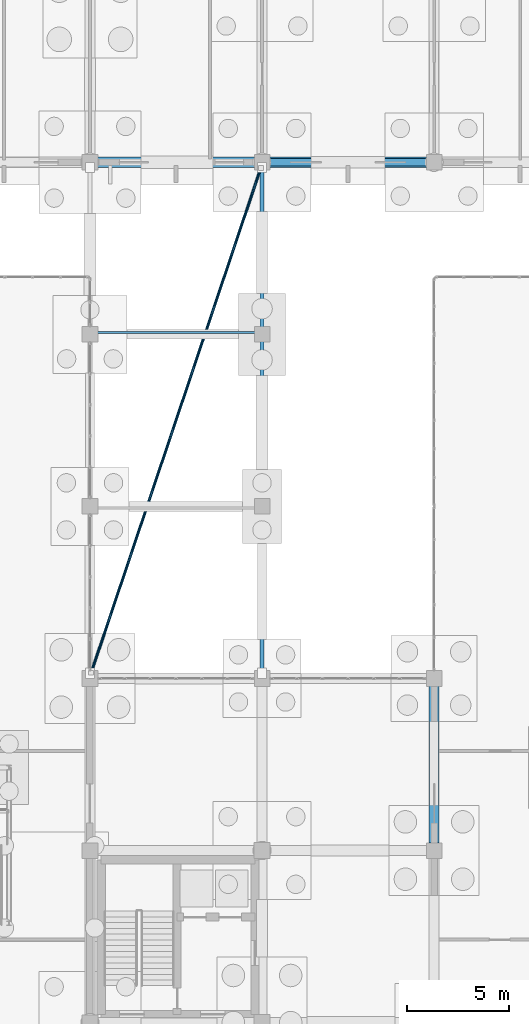
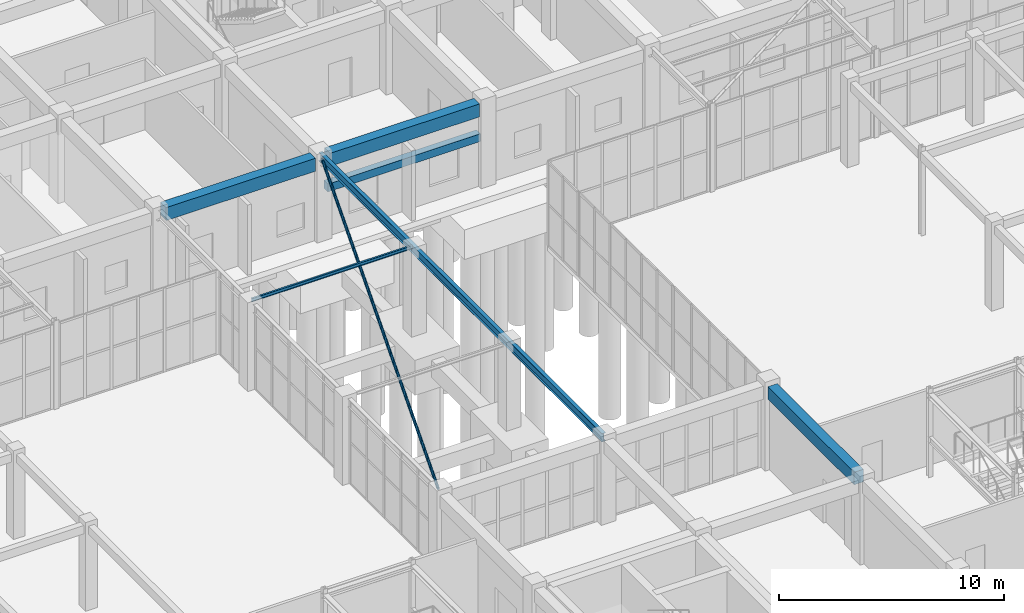
# One storey, part 103 of 192: 6 beams, 1 member.
"""IFC4 building model written with IfcOpenShell, lengths in metres."""

from ifc_helpers import new_model, si_unit, direction, frame, origin, origin_2d, place, context, subcontext, project, spatial, rectangle, hollow_circle, i_section, extrude, material, material_profile, profile_set, type_object, element, save


model = new_model("IFC4")

# Units and contexts
model_context = context("Model", 3, precision=1e-05, world=origin(), true_north=direction((0.0, 1.0)))
body_context = subcontext(model_context, "Body", "Model", "MODEL_VIEW")
ifc_project = project(units=[si_unit("LENGTHUNIT", "METRE"), si_unit("AREAUNIT", "SQUARE_METRE"), si_unit("VOLUMEUNIT", "CUBIC_METRE"), si_unit("PLANEANGLEUNIT", "RADIAN"), si_unit("MASSUNIT", "GRAM", prefix="KILO")], contexts=[model_context])

# Site, building, storey
site_placement = place(None, origin())
site = spatial("IfcSite", under=ifc_project, at=site_placement, CompositionType="ELEMENT")
building_placement = place(site_placement, origin())
building = spatial("IfcBuilding", under=site, at=building_placement, Name="Trelvath General Hospital", CompositionType="ELEMENT")
storey_placement = place(building_placement, origin())
storey = spatial("IfcBuildingStorey", under=building, at=storey_placement, Name="L00", CompositionType="ELEMENT", Elevation=0.0)

# Beams
ifc_material_1 = material(Name="Concrete C35/45", Category="concrete")
ifc_material_profile_1 = material_profile(ifc_material_1, rectangle(XDim=0.47998046875, YDim=0.679931640625, at=origin_2d()), Name="RCB480x680")
ifc_profile_set_1 = profile_set([ifc_material_profile_1], Name="Concrete C35/45")
beam_type_1 = type_object("IfcBeamType", Name="Beam RC480x680", PredefinedType="BEAM", material=ifc_profile_set_1)
beam_1_placement = place(storey_placement, frame((92.39990234375, 59.175048828125, 4.179931640625), z_axis=(0.0, 1.0, 0.0), x_axis=(-1.0, 0.0, 0.0)))
element("IfcBeam", 1, at=beam_1_placement, inside=storey, type_object=beam_type_1, Name="Grid Beam BY-011H", PredefinedType="BEAM", context=body_context, shape_type="SweptSolid", body=[
    extrude(rectangle(XDim=0.47998046875, YDim=0.679931640625, at=origin_2d()), origin(), (0.0, 0.0, 1.0), 7.64990234375),
])
ifc_material_2 = material(Name="Concrete C35/45", Category="concrete")
ifc_material_profile_2 = material_profile(ifc_material_2, rectangle(XDim=0.5, YDim=0.699951171875, at=origin_2d()), Name="RCB500x700")
ifc_profile_set_2 = profile_set([ifc_material_profile_2], Name="Concrete C35/45")
beam_type_2 = type_object("IfcBeamType", Name="Beam RC500x700", PredefinedType="BEAM", material=ifc_profile_set_2)
for number, where, z_axis, x_axis, name in (
    (2, (75.97509765625, 92.39990234375, 4.169921875), (1.0, 0.0, 0.0), (0.0, 1.0, 0.0), "Grid Beam BX-009L"),
    (3, (84.375, 92.39990234375, 4.169921875), (1.0, 0.0, 0.0), (0.0, 1.0, 0.0), "Grid Beam BX-010L"),
):
    element("IfcBeam", number, at=place(storey_placement, frame(where, z_axis=z_axis, x_axis=x_axis)), inside=storey, type_object=beam_type_2, Name=name, PredefinedType="BEAM", context=body_context, shape_type="SweptSolid", body=[
        extrude(rectangle(XDim=0.5, YDim=0.699951171875, at=origin_2d()), origin(), (0.0, 0.0, 1.0), 7.64990234375),
    ])

# Member
ifc_material_3 = material(Name="Steel S355", Category="steel")
ifc_material_profile_3 = material_profile(ifc_material_3, hollow_circle(Radius=0.06982421875, WallThickness=0.00634765625, at=origin_2d()), Name="CHS139.7x6.3")
ifc_profile_set_3 = profile_set([ifc_material_profile_3], Name="Steel S355")
member_type = type_object("IfcMemberType", Name="BridgeBrace CHS139", PredefinedType="BRACE", material=ifc_profile_set_3)
member_placement = place(storey_placement, frame((75.659912109375, 67.47998046875, 4.385009765625), z_axis=(0.318534479637, 0.947911275006, 0.0), x_axis=(-0.947911275006, 0.318534479637, 0.0)))
element("IfcMember", 4, at=member_placement, inside=storey, type_object=member_type, Name="Bridge Lateral Brace BRG-N-C L01", PredefinedType="BRACE", context=body_context, shape_type="SweptSolid", body=[
    extrude(hollow_circle(Radius=0.06982421875, WallThickness=0.00634765625, at=origin_2d()), origin(), (0.0, 0.0, 1.0), 25.994140625),
])

# Beams
ifc_material_4 = material(Name="Steel S355", Category="steel")
ifc_material_profile_4 = material_profile(ifc_material_4, i_section(OverallWidth=0.18994140625, OverallDepth=0.449951171875, WebThickness=0.009521484375, FlangeThickness=0.0146484375, at=origin_2d()), Name="IPE450")
ifc_profile_set_4 = profile_set([ifc_material_profile_4], Name="Steel S355")
beam_type_3 = type_object("IfcBeamType", Name="BridgeGirder IPE450", PredefinedType="BEAM", material=ifc_profile_set_4)
beam_2_placement = place(storey_placement, frame((84.0, 67.239990234375, 4.385009765625), z_axis=(0.0, 1.0, 0.0), x_axis=(-1.0, 0.0, 0.0)))
element("IfcBeam", 5, at=beam_2_placement, inside=storey, type_object=beam_type_3, Name="Bridge Girder BRG-N-C E L01", PredefinedType="BEAM", context=body_context, shape_type="SweptSolid", body=[
    extrude(i_section(OverallWidth=0.18994140625, OverallDepth=0.449951171875, WebThickness=0.009521484375, FlangeThickness=0.0146484375, at=origin_2d()), origin(), (0.0, 0.0, 1.0), 25.1201171875),
])
ifc_material_5 = material(Name="Steel S355", Category="steel")
ifc_material_profile_5 = material_profile(ifc_material_5, i_section(OverallWidth=0.091064453125, OverallDepth=0.179931640625, WebThickness=0.00537109375, FlangeThickness=0.008056640625, at=origin_2d()), Name="IPE180")
ifc_profile_set_5 = profile_set([ifc_material_profile_5], Name="Steel S355")
beam_type_4 = type_object("IfcBeamType", Name="BridgeJoist IPE180", PredefinedType="JOIST", material=ifc_profile_set_5)
beam_3_placement = place(storey_placement, frame((75.679931640625, 84.083984375, 4.52001953125), z_axis=(1.0, 0.0, 0.0), x_axis=(0.0, 1.0, 0.0)))
element("IfcBeam", 6, at=beam_3_placement, inside=storey, type_object=beam_type_4, Name="Bridge Cross Joist BRG-N-C L01", PredefinedType="JOIST", context=body_context, shape_type="SweptSolid", body=[
    extrude(i_section(OverallWidth=0.091064453125, OverallDepth=0.179931640625, WebThickness=0.00537109375, FlangeThickness=0.008056640625, at=origin_2d()), origin(), (0.0, 0.0, 1.0), 8.239990234375),
])
ifc_material_6 = material(Name="Precast concrete C40/50", Category="concrete")
ifc_material_profile_6 = material_profile(ifc_material_6, rectangle(XDim=0.35009765625, YDim=0.419921875, at=origin_2d()), Name="PCL350x420")
ifc_profile_set_6 = profile_set([ifc_material_profile_6], Name="Precast concrete C40/50")
beam_type_5 = type_object("IfcBeamType", Name="Lintel PC350x420", PredefinedType="LINTEL", material=ifc_profile_set_6)
beam_4_placement = place(storey_placement, frame((92.10498046875, 92.39990234375, 2.6201171875), z_axis=(-1.0, 0.0, 0.0), x_axis=(0.0, -1.0, 0.0)))
element("IfcBeam", 7, at=beam_4_placement, inside=storey, type_object=beam_type_5, Name="Precast Window Brow Lintel L00-62", PredefinedType="LINTEL", context=body_context, shape_type="SweptSolid", body=[
    extrude(rectangle(XDim=0.35009765625, YDim=0.419921875, at=origin_2d()), origin(), (0.0, 0.0, 1.0), 7.81005859375),
])

save(model, "model.ifc")
